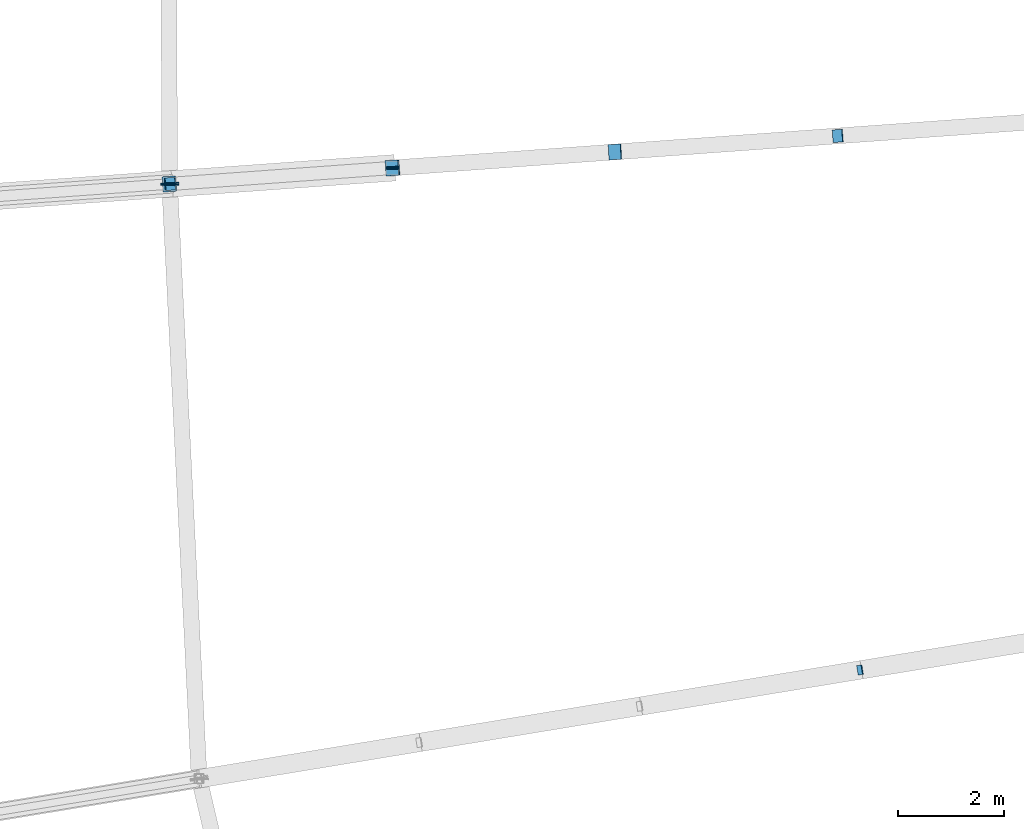
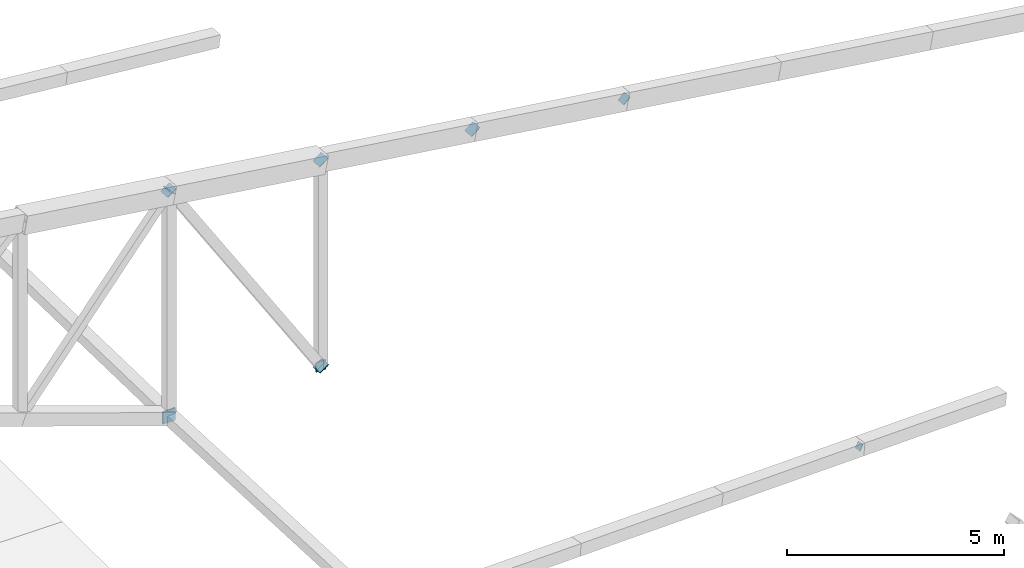
# One storey, part 125 of 188: 11 discrete accessories.
"""IFC4 building model written with IfcOpenShell, lengths in metres."""

from ifc_helpers import new_model, si_unit, direction, frame, origin, origin_2d, place, context, subcontext, project, spatial, rectangle, extrude, material, material_profile, profile_set, type_object, element, save


model = new_model("IFC4")

# Units and contexts
model_context = context("Model", 3, precision=1e-05, world=origin(), true_north=direction((0.0, 1.0)))
body_context = subcontext(model_context, "Body", "Model", "MODEL_VIEW")
ifc_project = project(units=[si_unit("LENGTHUNIT", "METRE"), si_unit("AREAUNIT", "SQUARE_METRE"), si_unit("VOLUMEUNIT", "CUBIC_METRE"), si_unit("PLANEANGLEUNIT", "RADIAN"), si_unit("MASSUNIT", "GRAM", prefix="KILO")], contexts=[model_context])

# Site, building, storey
site_placement = place(None, origin())
site = spatial("IfcSite", under=ifc_project, at=site_placement, CompositionType="ELEMENT")
building_placement = place(site_placement, origin())
building = spatial("IfcBuilding", under=site, at=building_placement, Name="Meseta Stadium", CompositionType="ELEMENT")
storey_placement = place(building_placement, frame((0.0, 0.0, 30.0)))
storey = spatial("IfcBuildingStorey", under=building, at=storey_placement, Name="ROOF", CompositionType="ELEMENT", Elevation=30.0)

# Discrete accessories
ifc_material_1 = material(Name="Steel S355", Category="steel")
ifc_material_profile_1 = material_profile(ifc_material_1, rectangle(XDim=0.179931640625, YDim=0.179931640625, at=origin_2d()), Name="PL 180x180")
ifc_profile_set_1 = profile_set([ifc_material_profile_1], Name="Steel S355")
discrete_accessory_type_1 = type_object("IfcDiscreteAccessoryType", Name="End plate 180x180x20", PredefinedType="ANCHORPLATE", material=ifc_profile_set_1)
discrete_accessory_placement = place(storey_placement, frame((-71.82666015625, -51.74560546875, 1.16845703125), z_axis=(-0.873552606789, -0.135339136263, 0.467535198), x_axis=(0.153102994509, -0.988210237284, 0.0)))
element("IfcDiscreteAccessory", 1, at=discrete_accessory_placement, inside=storey, type_object=discrete_accessory_type_1, Name="End plate of ROOF TRUSS RT-37 diagonal", PredefinedType="ANCHORPLATE", context=body_context, shape_type="SweptSolid", body=[
    extrude(rectangle(XDim=0.179931640625, YDim=0.179931640625, at=origin_2d()), origin(), (0.0, 0.0, 1.0), 0.019775390625),
])
ifc_material_2 = material(Name="Steel S355", Category="steel")
ifc_material_profile_2 = material_profile(ifc_material_2, rectangle(XDim=0.239990234375, YDim=0.239990234375, at=origin_2d()), Name="PL 240x240")
ifc_profile_set_2 = profile_set([ifc_material_profile_2], Name="Steel S355")
discrete_accessory_type_2 = type_object("IfcDiscreteAccessoryType", Name="End plate 240x240x20", PredefinedType="ANCHORPLATE", material=ifc_profile_set_2)
for number, where, z_axis, x_axis, name in (
    (2, (-72.25, -41.65234375, 4.957763671875), (-0.656004866512, -0.048592953075, 0.753190772662), (0.073871685515, -0.997267754457, 0.0), "End plate of ROOF TRUSS RT-36 diagonal"),
    (3, (-84.870849609375, -42.560546875, 7.37353515625), (-0.662041170887, -0.049040086732, -0.747861322669), (0.073871685515, -0.997267754457, 0.0), "End plate of ROOF TRUSS RT-36 diagonal"),
):
    element("IfcDiscreteAccessory", number, at=place(storey_placement, frame(where, z_axis=z_axis, x_axis=x_axis)), inside=storey, type_object=discrete_accessory_type_2, Name=name, PredefinedType="ANCHORPLATE", context=body_context, shape_type="SweptSolid", body=[
        extrude(rectangle(XDim=0.239990234375, YDim=0.239990234375, at=origin_2d()), origin(), (0.0, 0.0, 1.0), 0.02001953125),
    ])
ifc_material_3 = material(Name="Steel S355", Category="steel")
ifc_material_profile_3 = material_profile(ifc_material_3, rectangle(XDim=0.260009765625, YDim=0.260009765625, at=origin_2d()), Name="PL 260x260")
ifc_profile_set_3 = profile_set([ifc_material_profile_3], Name="Steel S355")
discrete_accessory_type_3 = type_object("IfcDiscreteAccessoryType", Name="End plate 260x260x20", PredefinedType="ANCHORPLATE", material=ifc_profile_set_3)
for number, where, z_axis, x_axis, name in (
    (4, (-80.672607421875, -42.258544921875, 0.773193359375), (0.0, -0.998812351125, 0.048722553713), (1.0, 0.0, 0.0), "End plate of ROOF TRUSS STRUT RT-35/36"),
    (5, (-80.673583984375, -42.238525390625, 0.77392578125), (0.04869005636, -0.998146155389, -0.03651754227), (0.998812351125, 0.048722553713, 0.0), "End plate of ROOF TRUSS STRUT RT-36/37"),
):
    element("IfcDiscreteAccessory", number, at=place(storey_placement, frame(where, z_axis=z_axis, x_axis=x_axis)), inside=storey, type_object=discrete_accessory_type_3, Name=name, PredefinedType="ANCHORPLATE", context=body_context, shape_type="SweptSolid", body=[
        extrude(rectangle(XDim=0.260009765625, YDim=0.260009765625, at=origin_2d()), origin(), (0.0, 0.0, 1.0), 0.02001953125),
    ])
ifc_material_4 = material(Name="Steel S355", Category="steel")
ifc_material_profile_4 = material_profile(ifc_material_4, rectangle(XDim=0.2900390625, YDim=0.2900390625, at=origin_2d()), Name="PL 290x290")
ifc_profile_set_4 = profile_set([ifc_material_profile_4], Name="Steel S355")
discrete_accessory_type_4 = type_object("IfcDiscreteAccessoryType", Name="End plate 290x290x20", PredefinedType="ANCHORPLATE", material=ifc_profile_set_4)
for number, where, z_axis, x_axis, name in (
    (6, (-76.46142578125, -41.95556640625, 5.758056640625), (-0.609303184999, -0.0365581911, 0.792094140499), (0.059892290728, -0.998204845466, 0.0), "End plate of ROOF TRUSS RT-36 diagonal"),
    (7, (-80.672607421875, -42.258544921875, 6.558349609375), (-0.573896669971, -0.036631702339, 0.818108018895), (0.063700154225, -0.997969082864, 0.0), "End plate of ROOF TRUSS RT-36 diagonal"),
    (8, (-80.661865234375, -42.2578125, 0.75634765625), (-0.537305024666, -0.0366344335, 0.8425919705), (0.068023888137, -0.997683692682, 0.0), "End plate of ROOF TRUSS RT-36 diagonal"),
    (9, (-84.884033203125, -42.5615234375, 7.358642578125), (-0.537305024666, -0.0366344335, 0.8425919705), (0.068023888137, -0.997683692682, 0.0), "End plate of ROOF TRUSS RT-36 diagonal"),
):
    element("IfcDiscreteAccessory", number, at=place(storey_placement, frame(where, z_axis=z_axis, x_axis=x_axis)), inside=storey, type_object=discrete_accessory_type_4, Name=name, PredefinedType="ANCHORPLATE", context=body_context, shape_type="SweptSolid", body=[
        extrude(rectangle(XDim=0.2900390625, YDim=0.2900390625, at=origin_2d()), origin(), (0.0, 0.0, 1.0), 0.02001953125),
    ])
ifc_material_5 = material(Name="Steel S355", Category="steel")
ifc_material_profile_5 = material_profile(ifc_material_5, rectangle(XDim=0.340087890625, YDim=0.340087890625, at=origin_2d()), Name="PL 340x340")
ifc_profile_set_5 = profile_set([ifc_material_profile_5], Name="Steel S355")
discrete_accessory_type_5 = type_object("IfcDiscreteAccessoryType", Name="End plate 340x340x20", PredefinedType="ANCHORPLATE", material=ifc_profile_set_5)
for number, where, z_axis, x_axis, name in (
    (10, (-84.884033203125, -42.5615234375, 1.025390625), (0.012193308685, -0.999851312169, 0.012193308685), (0.999925647793, 0.012194215217, 0.0), "End plate of ROOF PIVOT STRUT RT-35/36"),
    (11, (-84.885009765625, -42.54150390625, 1.025634765625), (0.048718939683, -0.998738263497, -0.012179734921), (0.998812351125, 0.048722553713, 0.0), "End plate of ROOF PIVOT STRUT RT-36/37"),
):
    element("IfcDiscreteAccessory", number, at=place(storey_placement, frame(where, z_axis=z_axis, x_axis=x_axis)), inside=storey, type_object=discrete_accessory_type_5, Name=name, PredefinedType="ANCHORPLATE", context=body_context, shape_type="SweptSolid", body=[
        extrude(rectangle(XDim=0.340087890625, YDim=0.340087890625, at=origin_2d()), origin(), (0.0, 0.0, 1.0), 0.02001953125),
    ])

save(model, "model.ifc")
